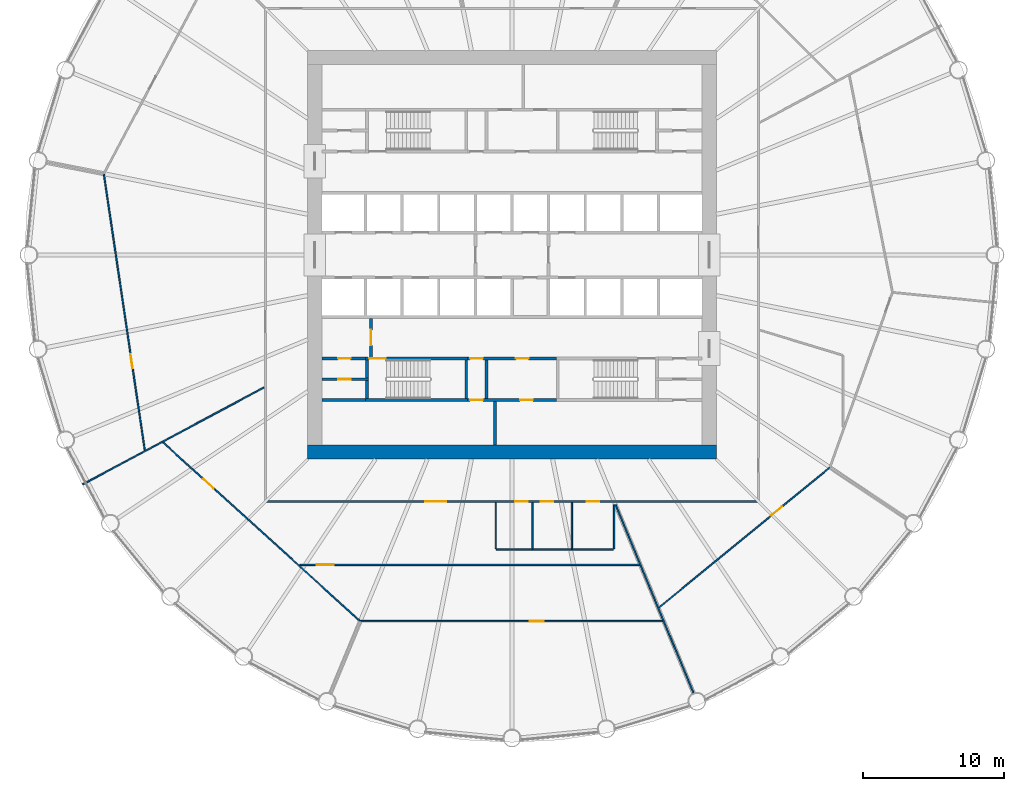
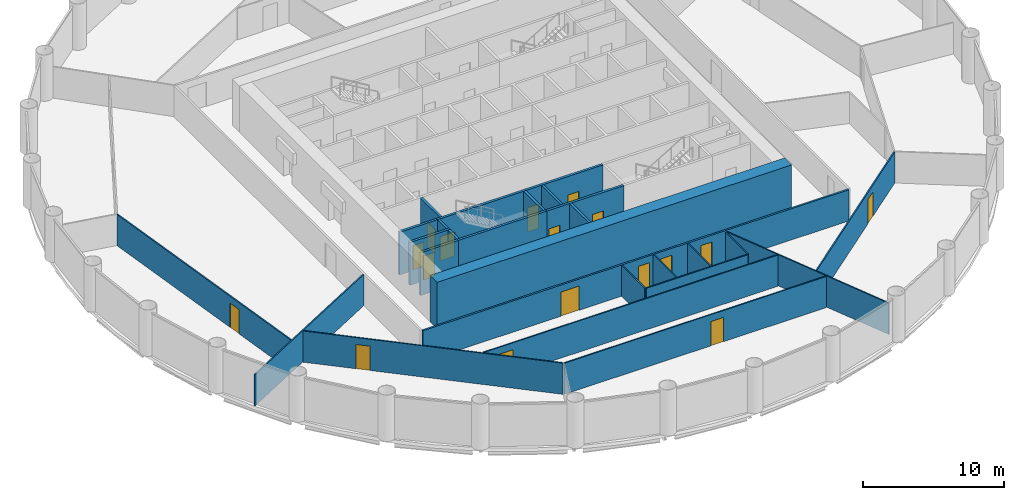
# One storey, part 4 of 8: 27 walls, 17 doors, 17 openings.
"""IFC4 building model written with IfcOpenShell, lengths in metres."""

from ifc_helpers import new_model, si_unit, direction, frame, frame_2d, origin, place, context, subcontext, project, spatial, polyline, rectangle, outline, extrude, material, layer, layer_set, type_object, element, fill, save


model = new_model("IFC4")

# Units and contexts
model_context = context("Model", 3, precision=1e-05, world=origin(), true_north=direction((0.0, 1.0)))
body_context = subcontext(model_context, "Body", "Model", "MODEL_VIEW")
ifc_project = project(units=[si_unit("LENGTHUNIT", "METRE"), si_unit("AREAUNIT", "SQUARE_METRE"), si_unit("VOLUMEUNIT", "CUBIC_METRE"), si_unit("PLANEANGLEUNIT", "RADIAN"), si_unit("MASSUNIT", "GRAM", prefix="KILO")], contexts=[model_context])

# Site, building, storey
site_placement = place(None, origin())
site = spatial("IfcSite", under=ifc_project, at=site_placement, CompositionType="ELEMENT")
building_placement = place(site_placement, origin())
building = spatial("IfcBuilding", under=site, at=building_placement, Name="Corvane Civic Tower", CompositionType="ELEMENT")
storey_placement = place(building_placement, frame((0.0, 0.0, 110.5)))
storey = spatial("IfcBuildingStorey", under=building, at=storey_placement, Name="L25", CompositionType="ELEMENT", Elevation=110.5)

# Wall
ifc_material_1 = material(Name="Concrete C70/85", Category="concrete")
ifc_layer_1 = layer(ifc_material_1, 1.0)
ifc_layer_set_1 = layer_set([ifc_layer_1], Name="Concrete C70/85")
wall_type_1 = type_object("IfcWallType", Name="CORE WALL 1000 C70/85", PredefinedType="SHEAR", material=ifc_layer_set_1)
wall_1_placement = place(storey_placement, frame((-14.5, -14.0, 0.0), z_axis=(0.0, 0.0, 1.0), x_axis=(1.0, 0.0, 0.0)))
element("IfcWall", 1, at=wall_1_placement, inside=storey, type_object=wall_type_1, Name="W-L25-core-S", PredefinedType="SHEAR", context=body_context, shape_type="SweptSolid", body=[
    extrude(rectangle(XDim=29.0, YDim=1.0, at=frame_2d((14.5, 0.0))), origin(), (0.0, 0.0, 1.0), 4.0),
])

# Wall, openings, doors
ifc_material_2 = material(Name="Concrete C30/37", Category="concrete")
ifc_layer_2 = layer(ifc_material_2, 0.199951171875)
ifc_layer_set_2 = layer_set([ifc_layer_2], Name="Concrete C30/37")
wall_type_2 = type_object("IfcWallType", Name="CR-WALL-200", PredefinedType="PARTITIONING", material=ifc_layer_set_2)
wall_2_placement = place(storey_placement, frame((-3.14990234375, -10.300048828125, 0.0), z_axis=(0.0, 0.0, 1.0), x_axis=(1.0, 0.0, 0.0)))
wall_2 = element("IfcWall", 2, at=wall_2_placement, inside=storey, type_object=wall_type_2, Name="L25 partition wall", PredefinedType="PARTITIONING", context=body_context, shape_type="SweptSolid", body=[
    extrude(rectangle(XDim=6.2998046875, YDim=0.199951171875, at=frame_2d((3.14990234375, 0.0))), origin(), (0.0, 0.0, 1.0), 3.699951171875),
])
opening_1_placement = place(wall_2_placement, frame((0.175048828125, 0.0, 0.0)))
opening_1 = element("IfcOpeningElement", 3, at=opening_1_placement, cuts=wall_2, Name="Opening L25.C08", PredefinedType="OPENING", context=body_context, shape_type="SweptSolid", body=[
    extrude(rectangle(XDim=0.89990234375, YDim=2.10009765625, at=frame_2d((0.449951171875, 1.050048828125))), frame((0.0, 0.10986328125, 0.0), z_axis=(0.0, -1.0, 0.0), x_axis=(1.0, 0.0, 0.0)), (0.0, 0.0, 1.0), 0.219970703125),
])
opening_2_placement = place(wall_2_placement, frame((3.72509765625, 0.0, 0.0)))
opening_2 = element("IfcOpeningElement", 4, at=opening_2_placement, cuts=wall_2, Name="Opening L25.C09", PredefinedType="OPENING", context=body_context, shape_type="SweptSolid", body=[
    extrude(rectangle(XDim=0.89990234375, YDim=2.10009765625, at=frame_2d((0.449951171875, 1.050048828125))), frame((0.0, 0.10986328125, 0.0), z_axis=(0.0, -1.0, 0.0), x_axis=(1.0, 0.0, 0.0)), (0.0, 0.0, 1.0), 0.219970703125),
])
ifc_material_3 = material(Name="Steel fire door leaf", Category="steel")
door_type_1 = type_object("IfcDoorType", Name="CR-DOOR-900", OperationType="SINGLE_SWING_LEFT", PredefinedType="DOOR", material=ifc_material_3)
door_1_placement = place(opening_1_placement, origin())
door_1 = element("IfcDoor", 5, at=door_1_placement, inside=storey, type_object=door_type_1, Name="L25 door", OperationType="SINGLE_SWING_LEFT", OverallHeight=2.10009765625, OverallWidth=0.89990234375, PredefinedType="DOOR", context=body_context, shape_type="SweptSolid", body=[
    extrude(rectangle(XDim=0.89990234375, YDim=2.10009765625, at=frame_2d((0.449951171875, 1.050048828125))), frame((0.0, 0.02490234375, 0.0), z_axis=(0.0, -1.0, 0.0), x_axis=(1.0, 0.0, 0.0)), (0.0, 0.0, 1.0), 0.050048828125),
])
fill(opening_1, door_1)
door_2_placement = place(opening_2_placement, origin())
door_2 = element("IfcDoor", 6, at=door_2_placement, inside=storey, type_object=door_type_1, Name="L25 door", OperationType="SINGLE_SWING_LEFT", OverallHeight=2.10009765625, OverallWidth=0.89990234375, PredefinedType="DOOR", context=body_context, shape_type="SweptSolid", body=[
    extrude(rectangle(XDim=0.89990234375, YDim=2.10009765625, at=frame_2d((0.449951171875, 1.050048828125))), frame((0.0, 0.02490234375, 0.0), z_axis=(0.0, -1.0, 0.0), x_axis=(1.0, 0.0, 0.0)), (0.0, 0.0, 1.0), 0.050048828125),
])
fill(opening_2, door_2)

# Wall, opening, door
wall_3_placement = place(storey_placement, frame((-13.5, -8.824951171875, 0.0), z_axis=(0.0, 0.0, 1.0), x_axis=(1.0, 0.0, 0.0)))
wall_3 = element("IfcWall", 7, at=wall_3_placement, inside=storey, type_object=wall_type_2, Name="L25 partition wall", PredefinedType="PARTITIONING", context=body_context, shape_type="SweptSolid", body=[
    extrude(rectangle(XDim=3.300048828125, YDim=0.199951171875, at=frame_2d((1.64990234375, 0.0))), origin(), (0.0, 0.0, 1.0), 3.699951171875),
])
opening_3_placement = place(wall_3_placement, frame((1.14990234375, 0.0, 0.0)))
opening_3 = element("IfcOpeningElement", 8, at=opening_3_placement, cuts=wall_3, Name="Opening L25.C13", PredefinedType="OPENING", context=body_context, shape_type="SweptSolid", body=[
    extrude(rectangle(XDim=0.89990234375, YDim=2.10009765625, at=frame_2d((0.449951171875, 1.050048828125))), frame((0.0, 0.10986328125, 0.0), z_axis=(0.0, -1.0, 0.0), x_axis=(1.0, 0.0, 0.0)), (0.0, 0.0, 1.0), 0.219970703125),
])
door_3_placement = place(opening_3_placement, origin())
door_3 = element("IfcDoor", 9, at=door_3_placement, inside=storey, type_object=door_type_1, Name="L25 door", OperationType="SINGLE_SWING_LEFT", OverallHeight=2.10009765625, OverallWidth=0.89990234375, PredefinedType="DOOR", context=body_context, shape_type="SweptSolid", body=[
    extrude(rectangle(XDim=0.89990234375, YDim=2.10009765625, at=frame_2d((0.449951171875, 1.050048828125))), frame((0.0, 0.02490234375, 0.0), z_axis=(0.0, -1.0, 0.0), x_axis=(1.0, 0.0, 0.0)), (0.0, 0.0, 1.0), 0.050048828125),
])
fill(opening_3, door_3)

wall_4_placement = place(storey_placement, frame((-13.5, -7.35009765625, 0.0), z_axis=(0.0, 0.0, 1.0), x_axis=(1.0, 0.0, 0.0)))
wall_4 = element("IfcWall", 10, at=wall_4_placement, inside=storey, type_object=wall_type_2, Name="L25 core partition wall", PredefinedType="PARTITIONING", context=body_context, shape_type="SweptSolid", body=[
    extrude(rectangle(XDim=3.10009765625, YDim=0.199951171875, at=frame_2d((1.550048828125, 0.0))), origin(), (0.0, 0.0, 1.0), 3.699951171875),
])
opening_4_placement = place(wall_4_placement, frame((1.14990234375, 0.0, 0.0)))
opening_4 = element("IfcOpeningElement", 11, at=opening_4_placement, cuts=wall_4, Name="Opening L25.C12", PredefinedType="OPENING", context=body_context, shape_type="SweptSolid", body=[
    extrude(rectangle(XDim=0.89990234375, YDim=2.10009765625, at=frame_2d((0.449951171875, 1.050048828125))), frame((0.0, 0.10986328125, 0.0), z_axis=(0.0, -1.0, 0.0), x_axis=(1.0, 0.0, 0.0)), (0.0, 0.0, 1.0), 0.219970703125),
])
door_4_placement = place(opening_4_placement, origin())
door_4 = element("IfcDoor", 12, at=door_4_placement, inside=storey, type_object=door_type_1, Name="L25 door", OperationType="SINGLE_SWING_LEFT", OverallHeight=2.10009765625, OverallWidth=0.89990234375, PredefinedType="DOOR", context=body_context, shape_type="SweptSolid", body=[
    extrude(rectangle(XDim=0.89990234375, YDim=2.10009765625, at=frame_2d((0.449951171875, 1.050048828125))), frame((0.0, 0.02490234375, 0.0), z_axis=(0.0, -1.0, 0.0), x_axis=(1.0, 0.0, 0.0)), (0.0, 0.0, 1.0), 0.050048828125),
])
fill(opening_4, door_4)

# Wall, openings, doors
wall_5_placement = place(storey_placement, frame((-3.14990234375, -7.35009765625, 0.0), z_axis=(0.0, 0.0, 1.0), x_axis=(1.0, 0.0, 0.0)))
wall_5 = element("IfcWall", 13, at=wall_5_placement, inside=storey, type_object=wall_type_2, Name="L25 core partition wall", PredefinedType="PARTITIONING", context=body_context, shape_type="SweptSolid", body=[
    extrude(rectangle(XDim=6.2998046875, YDim=0.199951171875, at=frame_2d((3.14990234375, 0.0))), origin(), (0.0, 0.0, 1.0), 3.699951171875),
])
opening_5_placement = place(wall_5_placement, frame((0.175048828125, 0.0, 0.0)))
opening_5 = element("IfcOpeningElement", 14, at=opening_5_placement, cuts=wall_5, Name="Opening L25.C04", PredefinedType="OPENING", context=body_context, shape_type="SweptSolid", body=[
    extrude(rectangle(XDim=0.89990234375, YDim=2.10009765625, at=frame_2d((0.449951171875, 1.050048828125))), frame((0.0, 0.10986328125, 0.0), z_axis=(0.0, -1.0, 0.0), x_axis=(1.0, 0.0, 0.0)), (0.0, 0.0, 1.0), 0.219970703125),
])
opening_6_placement = place(wall_5_placement, frame((3.425048828125, 0.0, 0.0)))
opening_6 = element("IfcOpeningElement", 15, at=opening_6_placement, cuts=wall_5, Name="Opening L25.C05", PredefinedType="OPENING", context=body_context, shape_type="SweptSolid", body=[
    extrude(rectangle(XDim=0.89990234375, YDim=2.10009765625, at=frame_2d((0.449951171875, 1.050048828125))), frame((0.0, 0.10986328125, 0.0), z_axis=(0.0, -1.0, 0.0), x_axis=(1.0, 0.0, 0.0)), (0.0, 0.0, 1.0), 0.219970703125),
])
door_5_placement = place(opening_5_placement, origin())
door_5 = element("IfcDoor", 16, at=door_5_placement, inside=storey, type_object=door_type_1, Name="L25 door", OperationType="SINGLE_SWING_LEFT", OverallHeight=2.10009765625, OverallWidth=0.89990234375, PredefinedType="DOOR", context=body_context, shape_type="SweptSolid", body=[
    extrude(rectangle(XDim=0.89990234375, YDim=2.10009765625, at=frame_2d((0.449951171875, 1.050048828125))), frame((0.0, 0.02490234375, 0.0), z_axis=(0.0, -1.0, 0.0), x_axis=(1.0, 0.0, 0.0)), (0.0, 0.0, 1.0), 0.050048828125),
])
fill(opening_5, door_5)
door_6_placement = place(opening_6_placement, origin())
door_6 = element("IfcDoor", 17, at=door_6_placement, inside=storey, type_object=door_type_1, Name="L25 door", OperationType="SINGLE_SWING_LEFT", OverallHeight=2.10009765625, OverallWidth=0.89990234375, PredefinedType="DOOR", context=body_context, shape_type="SweptSolid", body=[
    extrude(rectangle(XDim=0.89990234375, YDim=2.10009765625, at=frame_2d((0.449951171875, 1.050048828125))), frame((0.0, 0.02490234375, 0.0), z_axis=(0.0, -1.0, 0.0), x_axis=(1.0, 0.0, 0.0)), (0.0, 0.0, 1.0), 0.050048828125),
])
fill(opening_6, door_6)

# Wall, opening, door
wall_6_placement = place(storey_placement, frame((-10.0, -7.25, 0.0), z_axis=(0.0, 0.0, 1.0), x_axis=(0.0, 1.0, 0.0)))
wall_6 = element("IfcWall", 18, at=wall_6_placement, inside=storey, type_object=wall_type_2, Name="L25 core partition wall", PredefinedType="PARTITIONING", context=body_context, shape_type="SweptSolid", body=[
    extrude(rectangle(XDim=2.75, YDim=0.199951171875, at=frame_2d((1.375, 0.0))), origin(), (0.0, 0.0, 1.0), 3.699951171875),
])
opening_7_placement = place(wall_6_placement, frame((0.824951171875, 0.0, 0.0)))
opening_7 = element("IfcOpeningElement", 19, at=opening_7_placement, cuts=wall_6, Name="Opening L25.C26", PredefinedType="OPENING", context=body_context, shape_type="SweptSolid", body=[
    extrude(rectangle(XDim=1.10009765625, YDim=2.10009765625, at=frame_2d((0.550048828125, 1.050048828125))), frame((0.0, 0.10986328125, 0.0), z_axis=(0.0, -1.0, 0.0), x_axis=(1.0, 0.0, 0.0)), (0.0, 0.0, 1.0), 0.219970703125),
])
ifc_material_4 = material(Name="Steel fire door leaf", Category="steel")
door_type_2 = type_object("IfcDoorType", Name="CR-DOOR-FFL-1100", OperationType="SINGLE_SWING_LEFT", PredefinedType="DOOR", material=ifc_material_4)
door_7_placement = place(opening_7_placement, origin())
door_7 = element("IfcDoor", 20, at=door_7_placement, inside=storey, type_object=door_type_2, Name="L25 lobby door", OperationType="SINGLE_SWING_LEFT", OverallHeight=2.10009765625, OverallWidth=1.10009765625, PredefinedType="DOOR", context=body_context, shape_type="SweptSolid", body=[
    extrude(rectangle(XDim=1.10009765625, YDim=2.10009765625, at=frame_2d((0.550048828125, 1.050048828125))), frame((0.0, 0.02490234375, 0.0), z_axis=(0.0, -1.0, 0.0), x_axis=(1.0, 0.0, 0.0)), (0.0, 0.0, 1.0), 0.050048828125),
])
fill(opening_7, door_7)

# Walls
wall_7_placement = place(storey_placement, origin())
element("IfcWall", 21, at=wall_7_placement, inside=storey, type_object=wall_type_2, Name="L25 core partition wall", PredefinedType="PARTITIONING", context=body_context, shape_type="SweptSolid", body=[
    extrude(outline(polyline([(-10.39990234375, -10.39990234375), (-13.5, -10.39990234375), (-13.5, -10.199951171875), (-10.39990234375, -10.199951171875), (-10.39990234375, -10.39990234375)])), origin(), (0.0, 0.0, 1.0), 3.699951171875),
])
wall_8_placement = place(storey_placement, origin())
element("IfcWall", 22, at=wall_8_placement, inside=storey, type_object=wall_type_2, Name="L25 core partition wall", PredefinedType="PARTITIONING", context=body_context, shape_type="SweptSolid", body=[
    extrude(outline(polyline([(-1.699951171875, -7.449951171875), (-1.699951171875, -10.199951171875), (-1.89990234375, -10.199951171875), (-1.89990234375, -7.449951171875), (-1.699951171875, -7.449951171875)])), origin(), (0.0, 0.0, 1.0), 3.699951171875),
])
wall_9_placement = place(storey_placement, origin())
element("IfcWall", 23, at=wall_9_placement, inside=storey, type_object=wall_type_2, Name="L25 core partition wall", PredefinedType="PARTITIONING", context=body_context, shape_type="SweptSolid", body=[
    extrude(outline(polyline([(-1.10009765625, -10.39990234375), (-1.10009765625, -13.5), (-1.300048828125, -13.5), (-1.300048828125, -10.39990234375), (-1.10009765625, -10.39990234375)])), origin(), (0.0, 0.0, 1.0), 3.699951171875),
])
ifc_material_5 = material(Name="Plasterboard")
ifc_layer_3 = layer(ifc_material_5, 0.10009765625)
ifc_layer_set_3 = layer_set([ifc_layer_3], Name="Plasterboard")
wall_type_3 = type_object("IfcWallType", Name="Partition 100 plasterboard on studs", PredefinedType="PARTITIONING", material=ifc_layer_set_3)
wall_10_placement = place(storey_placement, frame((7.344970703125, -17.732177734375, 0.0), z_axis=(0.0, 0.0, 1.0), x_axis=(0.382683554333, -0.923879481991, 0.0)))
element("IfcWall", 24, at=wall_10_placement, inside=storey, type_object=wall_type_3, Name="Partition L25.002", PredefinedType="PARTITIONING", context=body_context, shape_type="SweptSolid", body=[
    extrude(rectangle(XDim=14.4716796875, YDim=0.10009765625, at=frame_2d((7.23583984375, 0.0))), origin(), (0.0, 0.0, 1.0), 2.699951171875),
])

# Wall, opening, door
wall_11_placement = place(storey_placement, frame((-10.736328125, -26.00048828125, 0.0), z_axis=(0.0, 0.0, 1.0), x_axis=(1.0, 0.0, 0.0)))
wall_11 = element("IfcWall", 25, at=wall_11_placement, inside=storey, type_object=wall_type_3, Name="Partition L25.003", PredefinedType="PARTITIONING", context=body_context, shape_type="SweptSolid", body=[
    extrude(rectangle(XDim=21.43115234375, YDim=0.10009765625, at=frame_2d((10.715576171875, 0.0))), origin(), (0.0, 0.0, 1.0), 2.699951171875),
])
opening_8_placement = place(wall_11_placement, frame((11.990966796875, 0.0, 0.0)))
opening_8 = element("IfcOpeningElement", 26, at=opening_8_placement, cuts=wall_11, Name="Opening L25.001", PredefinedType="OPENING", context=body_context, shape_type="SweptSolid", body=[
    extrude(rectangle(XDim=1.0, YDim=2.10009765625, at=frame_2d((0.5, 1.050048828125))), frame((0.0, 0.06005859375, 0.0), z_axis=(0.0, -1.0, 0.0), x_axis=(1.0, 0.0, 0.0)), (0.0, 0.0, 1.0), 0.1201171875),
])
ifc_material_6 = material(Name="Timber", Category="wood")
door_type_3 = type_object("IfcDoorType", Name="Single door 1000", OperationType="NOTDEFINED", PredefinedType="DOOR", material=ifc_material_6)
door_8_placement = place(opening_8_placement, frame((1.0, 0.0, 0.0), z_axis=(0.0, 0.0, 1.0), x_axis=(-1.0, 0.0, 0.0)))
door_8 = element("IfcDoor", 27, at=door_8_placement, inside=storey, type_object=door_type_3, Name="Door L25.001", OperationType="SINGLE_SWING_RIGHT", OverallHeight=2.10009765625, OverallWidth=1.0, PredefinedType="DOOR", context=body_context, shape_type="SweptSolid", body=[
    extrude(rectangle(XDim=1.0, YDim=2.10009765625, at=frame_2d((0.5, 1.050048828125))), frame((0.0, 0.02490234375, 0.0), z_axis=(0.0, -1.0, 0.0), x_axis=(1.0, 0.0, 0.0)), (0.0, 0.0, 1.0), 0.050048828125),
])
fill(opening_8, door_8)

wall_12_placement = place(storey_placement, frame((-24.766845703125, -13.31396484375, 0.0), z_axis=(0.0, 0.0, 1.0), x_axis=(0.740942857596, -0.671568076801, 0.0)))
wall_12 = element("IfcWall", 28, at=wall_12_placement, inside=storey, type_object=wall_type_3, Name="Partition L25.004", PredefinedType="PARTITIONING", context=body_context, shape_type="SweptSolid", body=[
    extrude(rectangle(XDim=18.855712890625, YDim=0.10009765625, at=frame_2d((9.427734375, 0.0))), origin(), (0.0, 0.0, 1.0), 2.699951171875),
])
opening_9_placement = place(wall_12_placement, frame((3.844482421875, 0.0, 0.0)))
opening_9 = element("IfcOpeningElement", 29, at=opening_9_placement, cuts=wall_12, Name="Opening L25.002", PredefinedType="OPENING", context=body_context, shape_type="SweptSolid", body=[
    extrude(rectangle(XDim=1.0, YDim=2.10009765625, at=frame_2d((0.5, 1.050048828125))), frame((0.0, 0.06005859375, 0.0), z_axis=(0.0, -1.0, 0.0), x_axis=(1.0, 0.0, 0.0)), (0.0, 0.0, 1.0), 0.1201171875),
])
door_9_placement = place(opening_9_placement, frame((1.0, 0.0, 0.0), z_axis=(0.0, 0.0, 1.0), x_axis=(-1.0, 0.0, 0.0)))
door_9 = element("IfcDoor", 30, at=door_9_placement, inside=storey, type_object=door_type_3, Name="Door L25.002", OperationType="SINGLE_SWING_LEFT", OverallHeight=2.10009765625, OverallWidth=1.0, PredefinedType="DOOR", context=body_context, shape_type="SweptSolid", body=[
    extrude(rectangle(XDim=1.0, YDim=2.10009765625, at=frame_2d((0.5, 1.050048828125))), frame((0.0, 0.02490234375, 0.0), z_axis=(0.0, -1.0, 0.0), x_axis=(1.0, 0.0, 0.0)), (0.0, 0.0, 1.0), 0.050048828125),
])
fill(opening_9, door_9)

wall_13_placement = place(storey_placement, frame((10.438720703125, -25.03271484375, 0.0), z_axis=(0.0, 0.0, 1.0), x_axis=(0.773000215974, 0.634405758252, 0.0)))
wall_13 = element("IfcWall", 31, at=wall_13_placement, inside=storey, type_object=wall_type_3, Name="Partition L25.005", PredefinedType="PARTITIONING", context=body_context, shape_type="SweptSolid", body=[
    extrude(rectangle(XDim=15.653076171875, YDim=0.10009765625, at=frame_2d((7.82666015625, 0.0))), origin(), (0.0, 0.0, 1.0), 2.699951171875),
])
opening_10_placement = place(wall_13_placement, frame((10.2841796875, 0.0, 0.0)))
opening_10 = element("IfcOpeningElement", 32, at=opening_10_placement, cuts=wall_13, Name="Opening L25.019", PredefinedType="OPENING", context=body_context, shape_type="SweptSolid", body=[
    extrude(rectangle(XDim=1.0, YDim=2.10009765625, at=frame_2d((0.5, 1.050048828125))), frame((0.0, 0.06005859375, 0.0), z_axis=(0.0, -1.0, 0.0), x_axis=(1.0, 0.0, 0.0)), (0.0, 0.0, 1.0), 0.1201171875),
])
door_10_placement = place(opening_10_placement, frame((1.0, 0.0, 0.0), z_axis=(0.0, 0.0, 1.0), x_axis=(-1.0, 0.0, 0.0)))
door_10 = element("IfcDoor", 33, at=door_10_placement, inside=storey, type_object=door_type_3, Name="Door L25.019", OperationType="SINGLE_SWING_RIGHT", OverallHeight=2.10009765625, OverallWidth=1.0, PredefinedType="DOOR", context=body_context, shape_type="SweptSolid", body=[
    extrude(rectangle(XDim=1.0, YDim=2.10009765625, at=frame_2d((0.5, 1.050048828125))), frame((0.0, 0.02490234375, 0.0), z_axis=(0.0, -1.0, 0.0), x_axis=(1.0, 0.0, 0.0)), (0.0, 0.0, 1.0), 0.050048828125),
])
fill(opening_10, door_10)

wall_14_placement = place(storey_placement, frame((-15.0537109375, -22.0, 0.0), z_axis=(0.0, 0.0, 1.0), x_axis=(1.0, 0.0, 0.0)))
wall_14 = element("IfcWall", 34, at=wall_14_placement, inside=storey, type_object=wall_type_3, Name="Partition L25.006", PredefinedType="PARTITIONING", context=body_context, shape_type="SweptSolid", body=[
    extrude(rectangle(XDim=24.091552734375, YDim=0.10009765625, at=frame_2d((12.0458984375, 0.0))), origin(), (0.0, 0.0, 1.0), 2.699951171875),
])
opening_11_placement = place(wall_14_placement, frame((1.205078125, 0.0, 0.0)))
opening_11 = element("IfcOpeningElement", 35, at=opening_11_placement, cuts=wall_14, Name="Opening L25.003", PredefinedType="OPENING", context=body_context, shape_type="SweptSolid", body=[
    extrude(rectangle(XDim=1.199951171875, YDim=2.10009765625, at=frame_2d((0.60009765625, 1.050048828125))), frame((0.0, 0.06005859375, 0.0), z_axis=(0.0, -1.0, 0.0), x_axis=(1.0, 0.0, 0.0)), (0.0, 0.0, 1.0), 0.1201171875),
])
ifc_material_7 = material(Name="Timber", Category="wood")
door_type_4 = type_object("IfcDoorType", Name="Double door 1200", OperationType="NOTDEFINED", PredefinedType="DOOR", material=ifc_material_7)
door_11_placement = place(opening_11_placement, frame((1.199951171875, 0.0, 0.0), z_axis=(0.0, 0.0, 1.0), x_axis=(-1.0, 0.0, 0.0)))
door_11 = element("IfcDoor", 36, at=door_11_placement, inside=storey, type_object=door_type_4, Name="Door L25.003", OperationType="DOUBLE_DOOR_SINGLE_SWING", OverallHeight=2.10009765625, OverallWidth=1.199951171875, PredefinedType="DOOR", context=body_context, shape_type="SweptSolid", body=[
    extrude(rectangle(XDim=1.199951171875, YDim=2.10009765625, at=frame_2d((0.60009765625, 1.050048828125))), frame((0.0, 0.02490234375, 0.0), z_axis=(0.0, -1.0, 0.0), x_axis=(1.0, 0.0, 0.0)), (0.0, 0.0, 1.0), 0.050048828125),
])
fill(opening_11, door_11)

# Walls
wall_15_placement = place(storey_placement, frame((-1.101318359375, -20.89990234375, 0.0), z_axis=(0.0, 0.0, 1.0), x_axis=(1.0, 0.0, 0.0)))
element("IfcWall", 37, at=wall_15_placement, inside=storey, type_object=wall_type_3, Name="Partition L25.007", PredefinedType="PARTITIONING", context=body_context, shape_type="SweptSolid", body=[
    extrude(rectangle(XDim=8.300048828125, YDim=0.10009765625, at=frame_2d((4.14990234375, 0.0))), origin(), (0.0, 0.0, 1.0), 2.699951171875),
])
for number, where, z_axis, x_axis, name in (
    (38, (-1.1513671875, -20.85009765625, 0.0), (0.0, 0.0, 1.0), (0.0, 1.0, 0.0), "Partition L25.008"),
    (39, (1.44873046875, -20.85009765625, 0.0), (0.0, 0.0, 1.0), (0.0, 1.0, 0.0), "Partition L25.009"),
    (40, (4.248779296875, -20.85009765625, 0.0), (0.0, 0.0, 1.0), (0.0, 1.0, 0.0), "Partition L25.010"),
):
    element("IfcWall", number, at=place(storey_placement, frame(where, z_axis=z_axis, x_axis=x_axis)), inside=storey, type_object=wall_type_3, Name=name, PredefinedType="PARTITIONING", context=body_context, shape_type="SweptSolid", body=[
        extrude(rectangle(XDim=3.275146484375, YDim=0.10009765625, at=frame_2d((1.6376953125, 0.0))), origin(), (0.0, 0.0, 1.0), 2.699951171875),
    ])
wall_16_placement = place(storey_placement, frame((7.248779296875, -20.85009765625, 0.0), z_axis=(0.0, 0.0, 1.0), x_axis=(0.0, 1.0, 0.0)))
element("IfcWall", 41, at=wall_16_placement, inside=storey, type_object=wall_type_3, Name="Partition L25.011", PredefinedType="PARTITIONING", context=body_context, shape_type="SweptSolid", body=[
    extrude(rectangle(XDim=3.0986328125, YDim=0.10009765625, at=frame_2d((1.54931640625, 0.0))), origin(), (0.0, 0.0, 1.0), 2.699951171875),
])
wall_17_placement = place(storey_placement, frame((-30.470458984375, -16.286865234375, 0.0), z_axis=(0.0, 0.0, 1.0), x_axis=(0.881914523069, 0.471409348655, 0.0)))
element("IfcWall", 42, at=wall_17_placement, inside=storey, type_object=wall_type_3, Name="Partition L25.016", PredefinedType="PARTITIONING", context=body_context, shape_type="SweptSolid", body=[
    extrude(rectangle(XDim=14.59521484375, YDim=0.10009765625, at=frame_2d((7.297607421875, 0.0))), origin(), (0.0, 0.0, 1.0), 2.699951171875),
])

# Wall, opening, door
wall_18_placement = place(storey_placement, frame((-28.97119140625, 5.72900390625, 0.0), z_axis=(0.0, 0.0, 1.0), x_axis=(0.146730982045, -0.989176434671, 0.0)))
wall_18 = element("IfcWall", 43, at=wall_18_placement, inside=storey, type_object=wall_type_3, Name="Partition L25.018", PredefinedType="PARTITIONING", context=body_context, shape_type="SweptSolid", body=[
    extrude(rectangle(XDim=19.800048828125, YDim=0.10009765625, at=frame_2d((9.89990234375, 0.0))), origin(), (0.0, 0.0, 1.0), 2.699951171875),
])
opening_12_placement = place(wall_18_placement, frame((12.914306640625, 0.0, 0.0)))
opening_12 = element("IfcOpeningElement", 44, at=opening_12_placement, cuts=wall_18, Name="Opening L25.008", PredefinedType="OPENING", context=body_context, shape_type="SweptSolid", body=[
    extrude(rectangle(XDim=1.0, YDim=2.10009765625, at=frame_2d((0.5, 1.050048828125))), frame((0.0, 0.06005859375, 0.0), z_axis=(0.0, -1.0, 0.0), x_axis=(1.0, 0.0, 0.0)), (0.0, 0.0, 1.0), 0.1201171875),
])
door_12_placement = place(opening_12_placement, frame((1.0, 0.0, 0.0), z_axis=(0.0, 0.0, 1.0), x_axis=(-1.0, 0.0, 0.0)))
door_12 = element("IfcDoor", 45, at=door_12_placement, inside=storey, type_object=door_type_3, Name="Door L25.008", OperationType="SINGLE_SWING_LEFT", OverallHeight=2.10009765625, OverallWidth=1.0, PredefinedType="DOOR", context=body_context, shape_type="SweptSolid", body=[
    extrude(rectangle(XDim=1.0, YDim=2.10009765625, at=frame_2d((0.5, 1.050048828125))), frame((0.0, 0.02490234375, 0.0), z_axis=(0.0, -1.0, 0.0), x_axis=(1.0, 0.0, 0.0)), (0.0, 0.0, 1.0), 0.050048828125),
])
fill(opening_12, door_12)

ifc_material_8 = material(Name="Concrete C50/60", Category="concrete")
ifc_layer_4 = layer(ifc_material_8, 0.199951171875)
ifc_layer_set_4 = layer_set([ifc_layer_4], Name="Concrete C50/60")
wall_type_4 = type_object("IfcWallType", Name="ST-WALL-200", PredefinedType="SHEAR", material=ifc_layer_set_4)
wall_19_placement = place(storey_placement, frame((-10.39990234375, -7.35009765625, 0.0), z_axis=(0.0, 0.0, 1.0), x_axis=(1.0, 0.0, 0.0)))
wall_19 = element("IfcWall", 46, at=wall_19_placement, inside=storey, type_object=wall_type_4, Name="L25 stair enclosure wall", PredefinedType="SHEAR", context=body_context, shape_type="SweptSolid", body=[
    extrude(rectangle(XDim=7.25, YDim=0.199951171875, at=frame_2d((3.625, 0.0))), origin(), (0.0, 0.0, 1.0), 3.699951171875),
])
opening_13_placement = place(wall_19_placement, frame((0.25, 0.0, 0.0)))
opening_13 = element("IfcOpeningElement", 47, at=opening_13_placement, cuts=wall_19, Name="Opening L25.C23", PredefinedType="OPENING", context=body_context, shape_type="SweptSolid", body=[
    extrude(rectangle(XDim=1.199951171875, YDim=2.10009765625, at=frame_2d((0.60009765625, 1.050048828125))), frame((0.0, 0.10986328125, 0.0), z_axis=(0.0, -1.0, 0.0), x_axis=(1.0, 0.0, 0.0)), (0.0, 0.0, 1.0), 0.219970703125),
])
ifc_material_9 = material(Name="Steel fire door leaf", Category="steel")
door_type_5 = type_object("IfcDoorType", Name="ST-DOOR-1200", OperationType="SINGLE_SWING_RIGHT", PredefinedType="DOOR", material=ifc_material_9)
door_13_placement = place(opening_13_placement, origin())
door_13 = element("IfcDoor", 48, at=door_13_placement, inside=storey, type_object=door_type_5, Name="L25 stair door", OperationType="SINGLE_SWING_RIGHT", OverallHeight=2.10009765625, OverallWidth=1.199951171875, PredefinedType="DOOR", context=body_context, shape_type="SweptSolid", body=[
    extrude(rectangle(XDim=1.199951171875, YDim=2.10009765625, at=frame_2d((0.60009765625, 1.050048828125))), frame((0.0, 0.02490234375, 0.0), z_axis=(0.0, -1.0, 0.0), x_axis=(1.0, 0.0, 0.0)), (0.0, 0.0, 1.0), 0.050048828125),
])
fill(opening_13, door_13)

# Walls
wall_20_placement = place(storey_placement, origin())
element("IfcWall", 49, at=wall_20_placement, inside=storey, type_object=wall_type_4, Name="L25 stair enclosure wall", PredefinedType="SHEAR", context=body_context, shape_type="SweptSolid", body=[
    extrude(outline(polyline([(-3.14990234375, -10.199951171875), (-3.14990234375, -10.39990234375), (-10.39990234375, -10.39990234375), (-10.39990234375, -10.199951171875), (-3.14990234375, -10.199951171875)])), origin(), (0.0, 0.0, 1.0), 3.699951171875),
])
wall_21_placement = place(storey_placement, origin())
element("IfcWall", 50, at=wall_21_placement, inside=storey, type_object=wall_type_4, Name="L25 stair enclosure wall", PredefinedType="SHEAR", context=body_context, shape_type="SweptSolid", body=[
    extrude(outline(polyline([(-3.14990234375, -7.449951171875), (-3.14990234375, -10.199951171875), (-3.35009765625, -10.199951171875), (-3.35009765625, -7.449951171875), (-3.14990234375, -7.449951171875)])), origin(), (0.0, 0.0, 1.0), 3.699951171875),
])
wall_22_placement = place(storey_placement, origin())
element("IfcWall", 51, at=wall_22_placement, inside=storey, type_object=wall_type_4, Name="L25 stair enclosure wall", PredefinedType="SHEAR", context=body_context, shape_type="SweptSolid", body=[
    extrude(outline(polyline([(-10.199951171875, -7.449951171875), (-10.199951171875, -8.72509765625), (-10.39990234375, -8.72509765625), (-10.39990234375, -7.449951171875), (-10.199951171875, -7.449951171875)])), origin(), (0.0, 0.0, 1.0), 3.699951171875),
])
wall_23_placement = place(storey_placement, origin())
element("IfcWall", 52, at=wall_23_placement, inside=storey, type_object=wall_type_4, Name="L25 stair enclosure wall", PredefinedType="SHEAR", context=body_context, shape_type="SweptSolid", body=[
    extrude(outline(polyline([(-10.199951171875, -8.925048828125), (-10.199951171875, -10.199951171875), (-10.39990234375, -10.199951171875), (-10.39990234375, -8.925048828125), (-10.199951171875, -8.925048828125)])), origin(), (0.0, 0.0, 1.0), 3.699951171875),
])

# Wall, openings, doors
ifc_material_10 = material(Name="Plasterboard")
ifc_layer_5 = layer(ifc_material_10, 0.14990234375)
ifc_layer_set_5 = layer_set([ifc_layer_5], Name="Plasterboard")
wall_type_5 = type_object("IfcWallType", Name="Tenancy wall 150 EI 60", PredefinedType="PARTITIONING", material=ifc_layer_set_5)
wall_24_placement = place(storey_placement, frame((-17.425048828125, -17.5, 0.0), z_axis=(0.0, 0.0, 1.0), x_axis=(1.0, 0.0, 0.0)))
wall_24 = element("IfcWall", 53, at=wall_24_placement, inside=storey, type_object=wall_type_5, Name="Partition L25.013", PredefinedType="PARTITIONING", context=body_context, shape_type="SweptSolid", body=[
    extrude(rectangle(XDim=34.85009765625, YDim=0.14990234375, at=frame_2d((17.425048828125, 0.0))), origin(), (0.0, 0.0, 1.0), 2.699951171875),
])
opening_14_placement = place(wall_24_placement, frame((11.274658203125, 0.0, 0.0)))
opening_14 = element("IfcOpeningElement", 54, at=opening_14_placement, cuts=wall_24, Name="Opening L25.004", PredefinedType="OPENING", context=body_context, shape_type="SweptSolid", body=[
    extrude(rectangle(XDim=1.5, YDim=2.10009765625, at=frame_2d((0.75, 1.050048828125))), frame((0.0, 0.0849609375, 0.0), z_axis=(0.0, -1.0, 0.0), x_axis=(1.0, 0.0, 0.0)), (0.0, 0.0, 1.0), 0.169921875),
])
opening_15_placement = place(wall_24_placement, frame((22.729736328125, 0.0, 0.0)))
opening_15 = element("IfcOpeningElement", 55, at=opening_15_placement, cuts=wall_24, Name="Opening L25.005", PredefinedType="OPENING", context=body_context, shape_type="SweptSolid", body=[
    extrude(rectangle(XDim=0.89990234375, YDim=2.10009765625, at=frame_2d((0.449951171875, 1.050048828125))), frame((0.0, 0.0849609375, 0.0), z_axis=(0.0, -1.0, 0.0), x_axis=(1.0, 0.0, 0.0)), (0.0, 0.0, 1.0), 0.169921875),
])
opening_16_placement = place(wall_24_placement, frame((19.47119140625, 0.0, 0.0)))
opening_16 = element("IfcOpeningElement", 56, at=opening_16_placement, cuts=wall_24, Name="Opening L25.006", PredefinedType="OPENING", context=body_context, shape_type="SweptSolid", body=[
    extrude(rectangle(XDim=0.89990234375, YDim=2.10009765625, at=frame_2d((0.449951171875, 1.050048828125))), frame((0.0, 0.0849609375, 0.0), z_axis=(0.0, -1.0, 0.0), x_axis=(1.0, 0.0, 0.0)), (0.0, 0.0, 1.0), 0.169921875),
])
opening_17_placement = place(wall_24_placement, frame((17.64111328125, 0.0, 0.0)))
opening_17 = element("IfcOpeningElement", 57, at=opening_17_placement, cuts=wall_24, Name="Opening L25.007", PredefinedType="OPENING", context=body_context, shape_type="SweptSolid", body=[
    extrude(rectangle(XDim=0.89990234375, YDim=2.10009765625, at=frame_2d((0.449951171875, 1.050048828125))), frame((0.0, 0.0849609375, 0.0), z_axis=(0.0, -1.0, 0.0), x_axis=(1.0, 0.0, 0.0)), (0.0, 0.0, 1.0), 0.169921875),
])
ifc_material_11 = material(Name="Steel and timber", Category="steel")
door_type_6 = type_object("IfcDoorType", Name="Fire door FD30S 900", OperationType="NOTDEFINED", PredefinedType="DOOR", material=ifc_material_11)
door_14_placement = place(opening_15_placement, frame((0.89990234375, 0.0, 0.0), z_axis=(0.0, 0.0, 1.0), x_axis=(-1.0, 0.0, 0.0)))
door_14 = element("IfcDoor", 58, at=door_14_placement, inside=storey, type_object=door_type_6, Name="Door L25.005", OperationType="SINGLE_SWING_LEFT", OverallHeight=2.10009765625, OverallWidth=0.89990234375, PredefinedType="DOOR", context=body_context, shape_type="SweptSolid", body=[
    extrude(rectangle(XDim=0.89990234375, YDim=2.10009765625, at=frame_2d((0.449951171875, 1.050048828125))), frame((0.0, 0.02490234375, 0.0), z_axis=(0.0, -1.0, 0.0), x_axis=(1.0, 0.0, 0.0)), (0.0, 0.0, 1.0), 0.050048828125),
])
fill(opening_15, door_14)
door_15_placement = place(opening_16_placement, frame((0.89990234375, 0.0, 0.0), z_axis=(0.0, 0.0, 1.0), x_axis=(-1.0, 0.0, 0.0)))
door_15 = element("IfcDoor", 59, at=door_15_placement, inside=storey, type_object=door_type_6, Name="Door L25.006", OperationType="SINGLE_SWING_LEFT", OverallHeight=2.10009765625, OverallWidth=0.89990234375, PredefinedType="DOOR", context=body_context, shape_type="SweptSolid", body=[
    extrude(rectangle(XDim=0.89990234375, YDim=2.10009765625, at=frame_2d((0.449951171875, 1.050048828125))), frame((0.0, 0.02490234375, 0.0), z_axis=(0.0, -1.0, 0.0), x_axis=(1.0, 0.0, 0.0)), (0.0, 0.0, 1.0), 0.050048828125),
])
fill(opening_16, door_15)
door_16_placement = place(opening_17_placement, frame((0.89990234375, 0.0, 0.0), z_axis=(0.0, 0.0, 1.0), x_axis=(-1.0, 0.0, 0.0)))
door_16 = element("IfcDoor", 60, at=door_16_placement, inside=storey, type_object=door_type_6, Name="Door L25.007", OperationType="SINGLE_SWING_RIGHT", OverallHeight=2.10009765625, OverallWidth=0.89990234375, PredefinedType="DOOR", context=body_context, shape_type="SweptSolid", body=[
    extrude(rectangle(XDim=0.89990234375, YDim=2.10009765625, at=frame_2d((0.449951171875, 1.050048828125))), frame((0.0, 0.02490234375, 0.0), z_axis=(0.0, -1.0, 0.0), x_axis=(1.0, 0.0, 0.0)), (0.0, 0.0, 1.0), 0.050048828125),
])
fill(opening_17, door_16)
ifc_material_12 = material(Name="Steel and timber", Category="steel")
door_type_7 = type_object("IfcDoorType", Name="Fire door FD60 double 1500", OperationType="NOTDEFINED", PredefinedType="DOOR", material=ifc_material_12)
door_17_placement = place(opening_14_placement, frame((1.5, 0.0, 0.0), z_axis=(0.0, 0.0, 1.0), x_axis=(-1.0, 0.0, 0.0)))
door_17 = element("IfcDoor", 61, at=door_17_placement, inside=storey, type_object=door_type_7, Name="Door L25.004", OperationType="DOUBLE_DOOR_SINGLE_SWING", OverallHeight=2.10009765625, OverallWidth=1.5, PredefinedType="DOOR", context=body_context, shape_type="SweptSolid", body=[
    extrude(rectangle(XDim=1.5, YDim=2.10009765625, at=frame_2d((0.75, 1.050048828125))), frame((0.0, 0.02490234375, 0.0), z_axis=(0.0, -1.0, 0.0), x_axis=(1.0, 0.0, 0.0)), (0.0, 0.0, 1.0), 0.050048828125),
])
fill(opening_14, door_17)

save(model, "model.ifc")
